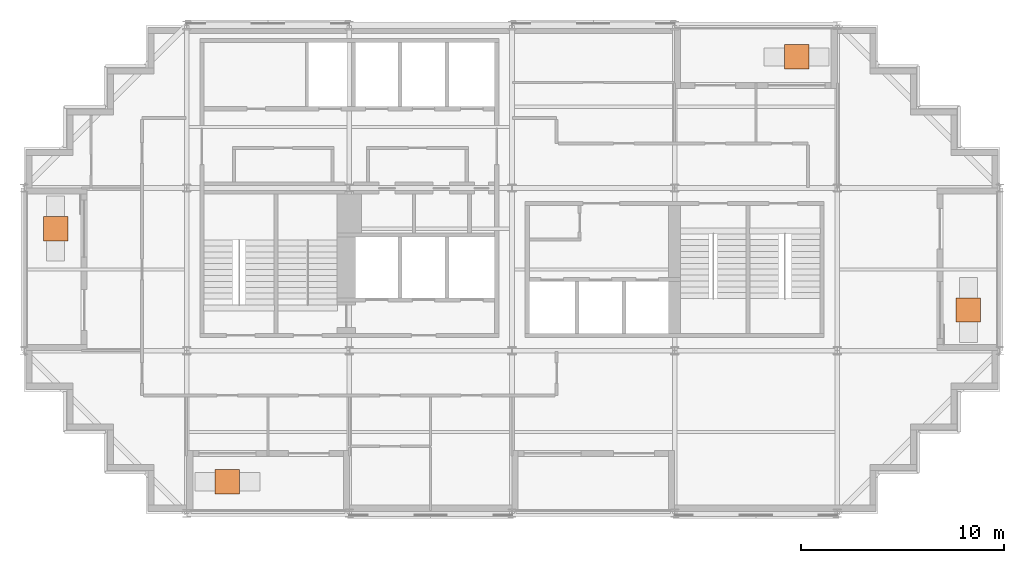
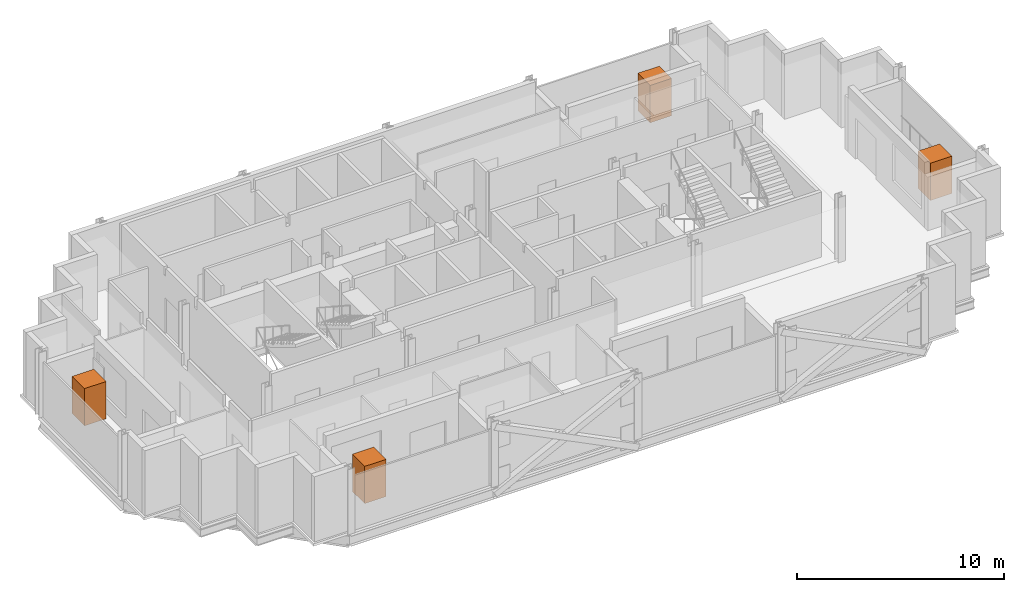
# One storey, part 8 of 8: 4 geographic elements.
"""IFC4 building model written with IfcOpenShell, lengths in metres."""

from ifc_helpers import new_model, si_unit, direction, frame, origin, origin_2d, place, context, subcontext, project, spatial, rectangle, extrude, material, type_object, element, save


model = new_model("IFC4")

# Units and contexts
model_context = context("Model", 3, precision=1e-05, world=origin(), true_north=direction((0.0, 1.0)))
body_context = subcontext(model_context, "Body", "Model", "MODEL_VIEW")
ifc_project = project(units=[si_unit("LENGTHUNIT", "METRE"), si_unit("AREAUNIT", "SQUARE_METRE"), si_unit("VOLUMEUNIT", "CUBIC_METRE"), si_unit("PLANEANGLEUNIT", "RADIAN"), si_unit("MASSUNIT", "GRAM", prefix="KILO")], contexts=[model_context])

# Site, building, storey
site_placement = place(None, origin())
site = spatial("IfcSite", under=ifc_project, at=site_placement, CompositionType="ELEMENT")
building_placement = place(site_placement, origin())
building = spatial("IfcBuilding", under=site, at=building_placement, Name="Immortelle Media Tower", CompositionType="ELEMENT")
storey_placement = place(building_placement, frame((0.0, 0.0, 209.0)))
storey = spatial("IfcBuildingStorey", under=building, at=storey_placement, Name="L44", CompositionType="ELEMENT", Elevation=209.0)

# Geographic elements
ifc_material = material(Name="Tree canopy foliage")
geographic_element_type = type_object("IfcGeographicElementType", Name="Tree", PredefinedType="USERDEFINED", material=ifc_material)
for number, where, z_axis, x_axis, name in (
    (1, (10.0, 1.550048828125, 0.60009765625), (0.0, 0.0, 1.0), (1.0, 0.0, 0.0), "Tree L44 S0"),
    (2, (46.449951171875, 10.0, 0.60009765625), (0.0, 0.0, 1.0), (1.0, 0.0, 0.0), "Tree L44 E0"),
    (3, (38.0, 22.449951171875, 0.60009765625), (0.0, 0.0, 1.0), (1.0, 0.0, 0.0), "Tree L44 N0"),
    (4, (1.550048828125, 14.0, 0.60009765625), (0.0, 0.0, 1.0), (1.0, 0.0, 0.0), "Tree L44 W0"),
):
    element("IfcGeographicElement", number, at=place(storey_placement, frame(where, z_axis=z_axis, x_axis=x_axis)), inside=storey, type_object=geographic_element_type, Name=name, ObjectType="Tree", PredefinedType="USERDEFINED", context=body_context, shape_type="SweptSolid", body=[
        extrude(rectangle(XDim=1.199951171875, YDim=1.199951171875, at=origin_2d()), origin(), (0.0, 0.0, 1.0), 2.199951171875),
    ])

save(model, "model.ifc")
